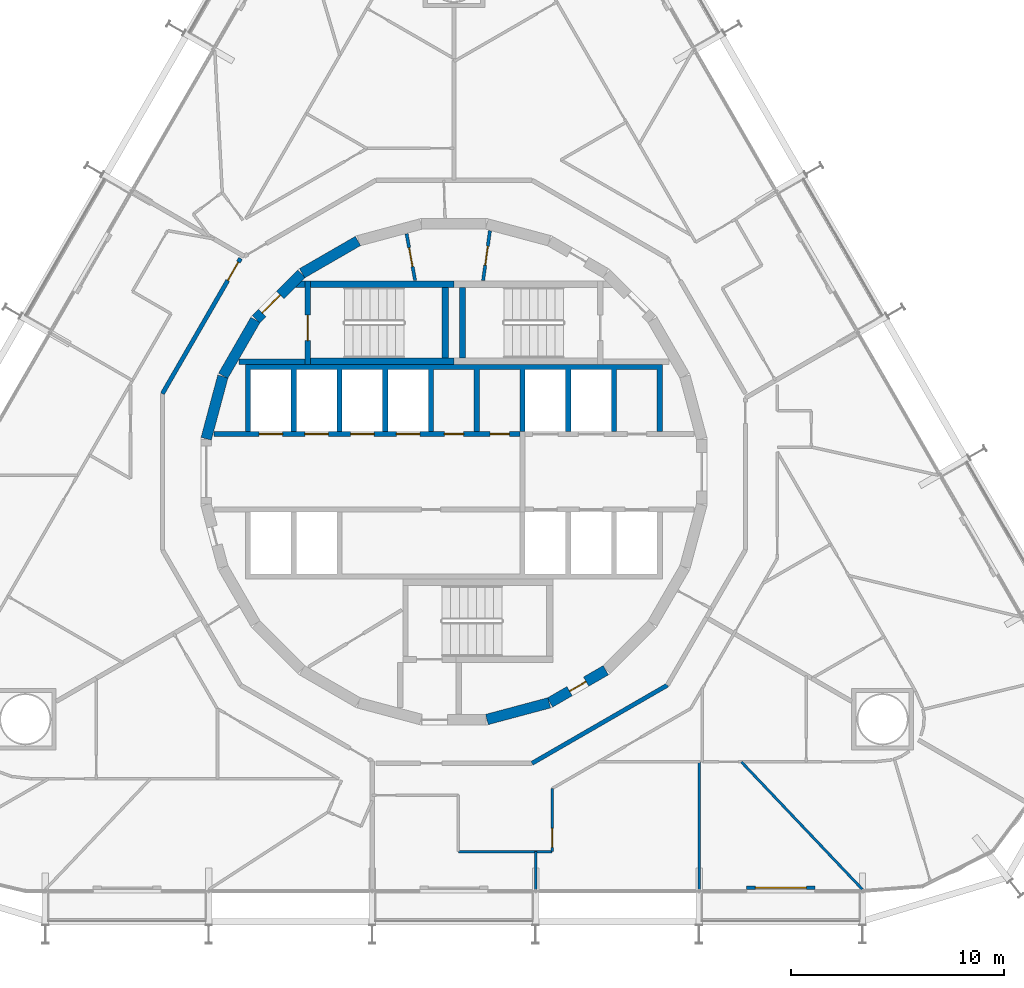
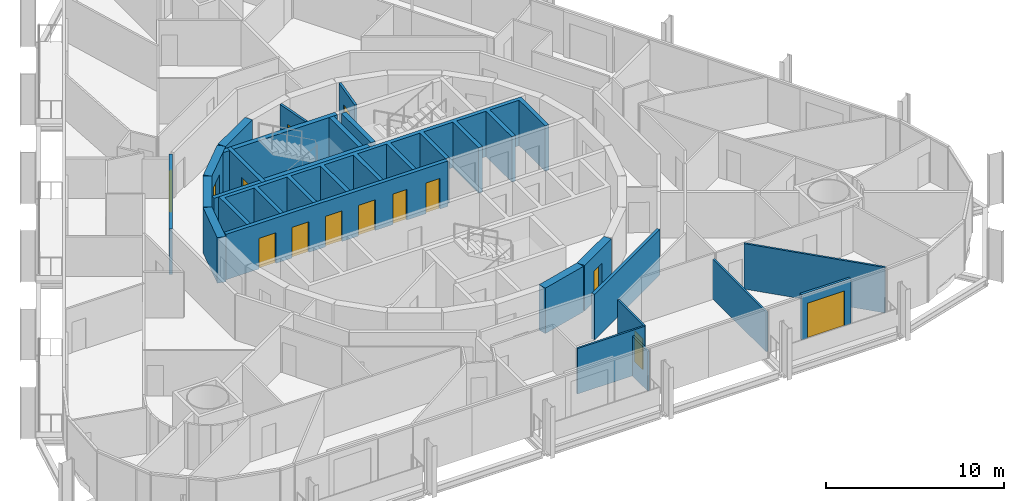
# One storey, part 15 of 21: 25 walls, 14 doors, 14 openings.
"""IFC4 building model written with IfcOpenShell, lengths in metres."""

from ifc_helpers import new_model, si_unit, direction, frame, frame_2d, origin, place, context, subcontext, project, spatial, polyline, rectangle, outline, extrude, material, layer, layer_set, type_object, element, fill, save


model = new_model("IFC4")

# Units and contexts
model_context = context("Model", 3, precision=1e-05, world=origin(), true_north=direction((0.0, 1.0)))
body_context = subcontext(model_context, "Body", "Model", "MODEL_VIEW")
ifc_project = project(units=[si_unit("LENGTHUNIT", "METRE"), si_unit("AREAUNIT", "SQUARE_METRE"), si_unit("VOLUMEUNIT", "CUBIC_METRE"), si_unit("PLANEANGLEUNIT", "RADIAN"), si_unit("MASSUNIT", "GRAM", prefix="KILO")], contexts=[model_context])

# Site, building, storey
site_placement = place(None, origin())
site = spatial("IfcSite", under=ifc_project, at=site_placement, CompositionType="ELEMENT")
building_placement = place(site_placement, origin())
building = spatial("IfcBuilding", under=site, at=building_placement, Name="Spindle Arch Residences", CompositionType="ELEMENT")
storey_placement = place(building_placement, frame((0.0, 0.0, 55.89990234375)))
storey = spatial("IfcBuildingStorey", under=building, at=storey_placement, Name="L12", CompositionType="ELEMENT", Elevation=55.89990234375)

# Wall
ifc_material_1 = material(Name="Concrete C50/60", Category="concrete")
ifc_layer_1 = layer(ifc_material_1, 0.5)
ifc_layer_set_1 = layer_set([ifc_layer_1], Name="Core outline wall 500")
wall_type_1 = type_object("IfcWallType", Name="Core outline wall 500", PredefinedType="SHEAR", material=ifc_layer_set_1)
wall_1_placement = place(storey_placement, frame((1.5498046875, -11.642822265625, 0.0), z_axis=(0.0, 0.0, 1.0), x_axis=(0.965948410781, 0.258734743916, 0.0)))
element("IfcWall", 1, at=wall_1_placement, inside=storey, type_object=wall_type_1, Name="Core outline wall 1", PredefinedType="SHEAR", context=body_context, shape_type="SweptSolid", body=[
    extrude(rectangle(XDim=3.03271484375, YDim=0.5, at=frame_2d((1.516357421875, 0.0))), origin(), (0.0, 0.0, 1.0), 3.1201171875),
])

# Wall, opening, door
wall_2_placement = place(storey_placement, frame((4.510498046875, -10.84521484375, 0.0), z_axis=(0.0, 0.0, 1.0), x_axis=(0.865975092491, 0.500087131594, 0.0)))
wall_2 = element("IfcWall", 2, at=wall_2_placement, inside=storey, type_object=wall_type_1, Name="Core outline wall 2", PredefinedType="SHEAR", context=body_context, shape_type="SweptSolid", body=[
    extrude(rectangle(XDim=3.03271484375, YDim=0.5, at=frame_2d((1.516357421875, 0.0))), origin(), (0.0, 0.0, 1.0), 3.1201171875),
])
opening_1_placement = place(wall_2_placement, frame((1.06640625, 0.0, 0.0)))
opening_1 = element("IfcOpeningElement", 3, at=opening_1_placement, cuts=wall_2, Name="Opening R1B1-WD08", PredefinedType="OPENING", context=body_context, shape_type="SweptSolid", body=[
    extrude(rectangle(XDim=0.89990234375, YDim=2.10009765625, at=frame_2d((0.449951171875, 1.050048828125))), frame((0.0, 0.260009765625, 0.0), z_axis=(0.0, -1.0, 0.0), x_axis=(1.0, 0.0, 0.0)), (0.0, 0.0, 1.0), 0.52001953125),
])
ifc_material_2 = material(Name="Steel, fire-resisting door", Category="steel")
door_type_1 = type_object("IfcDoorType", Name="Service room door 900x2100", OperationType="SINGLE_SWING_LEFT", PredefinedType="DOOR", material=ifc_material_2)
door_1_placement = place(opening_1_placement, origin())
door_1 = element("IfcDoor", 4, at=door_1_placement, inside=storey, type_object=door_type_1, Name="Service room door R1B1-WD08", OperationType="SINGLE_SWING_LEFT", OverallHeight=2.10009765625, OverallWidth=0.89990234375, PredefinedType="DOOR", context=body_context, shape_type="SweptSolid", body=[
    extrude(rectangle(XDim=0.89990234375, YDim=2.10009765625, at=frame_2d((0.449951171875, 1.050048828125))), frame((0.0, 0.02490234375, 0.0), z_axis=(0.0, -1.0, 0.0), x_axis=(1.0, 0.0, 0.0)), (0.0, 0.0, 1.0), 0.050048828125),
])
fill(opening_1, door_1)

# Wall
wall_3_placement = place(storey_placement, frame((-4.510498046875, 10.84521484375, 0.0), z_axis=(0.0, 0.0, 1.0), x_axis=(-0.865975092491, -0.500087131594, 0.0)))
element("IfcWall", 5, at=wall_3_placement, inside=storey, type_object=wall_type_1, Name="Core outline wall 14", PredefinedType="SHEAR", context=body_context, shape_type="SweptSolid", body=[
    extrude(rectangle(XDim=3.03271484375, YDim=0.5, at=frame_2d((1.516357421875, 0.0))), origin(), (0.0, 0.0, 1.0), 3.1201171875),
])

# Wall, opening, door
wall_4_placement = place(storey_placement, frame((-7.163818359375, 9.30810546875, 0.0), z_axis=(0.0, 0.0, 1.0), x_axis=(-0.707106781187, -0.707106781187, 0.0)))
wall_4 = element("IfcWall", 6, at=wall_4_placement, inside=storey, type_object=wall_type_1, Name="Core outline wall 15", PredefinedType="SHEAR", context=body_context, shape_type="SweptSolid", body=[
    extrude(rectangle(XDim=3.032470703125, YDim=0.5, at=frame_2d((1.51611328125, 0.0))), origin(), (0.0, 0.0, 1.0), 3.1201171875),
])
opening_2_placement = place(wall_4_placement, frame((1.416259765625, 0.0, 0.0)))
opening_2 = element("IfcOpeningElement", 7, at=opening_2_placement, cuts=wall_4, Name="Opening R1B1-AD02", PredefinedType="OPENING", context=body_context, shape_type="SweptSolid", body=[
    extrude(rectangle(XDim=1.199951171875, YDim=2.10009765625, at=frame_2d((0.60009765625, 1.050048828125))), frame((0.0, 0.260009765625, 0.0), z_axis=(0.0, -1.0, 0.0), x_axis=(1.0, 0.0, 0.0)), (0.0, 0.0, 1.0), 0.52001953125),
])
ifc_material_3 = material(Name="Steel, fire-resisting door", Category="steel")
door_type_2 = type_object("IfcDoorType", Name="Stair airlock door 1200x2100", OperationType="SINGLE_SWING_LEFT", PredefinedType="DOOR", material=ifc_material_3)
door_2_placement = place(opening_2_placement, origin())
door_2 = element("IfcDoor", 8, at=door_2_placement, inside=storey, type_object=door_type_2, Name="Stair airlock door R1B1-AD02", OperationType="SINGLE_SWING_RIGHT", OverallHeight=2.10009765625, OverallWidth=1.199951171875, PredefinedType="DOOR", context=body_context, shape_type="SweptSolid", body=[
    extrude(rectangle(XDim=1.199951171875, YDim=2.10009765625, at=frame_2d((0.60009765625, 1.050048828125))), frame((0.0, 0.02490234375, 0.0), z_axis=(0.0, -1.0, 0.0), x_axis=(1.0, 0.0, 0.0)), (0.0, 0.0, 1.0), 0.050048828125),
])
fill(opening_2, door_2)

# Walls
for number, where, z_axis, x_axis, name in (
    (9, (-9.32861328125, 7.13671875, 0.0), (0.0, 0.0, 1.0), (-0.500087131594, -0.865975092491, 0.0), "Core outline wall 16"),
    (10, (-10.858154296875, 4.479248046875, 0.0), (0.0, 0.0, 1.0), (-0.258734743916, -0.965948410781, 0.0), "Core outline wall 17"),
):
    element("IfcWall", number, at=place(storey_placement, frame(where, z_axis=z_axis, x_axis=x_axis)), inside=storey, type_object=wall_type_1, Name=name, PredefinedType="SHEAR", context=body_context, shape_type="SweptSolid", body=[
        extrude(rectangle(XDim=3.03271484375, YDim=0.5, at=frame_2d((1.516357421875, 0.0))), origin(), (0.0, 0.0, 1.0), 3.1201171875),
    ])

# Wall, opening, door
ifc_material_4 = material(Name="Calcium silicate block, plastered")
ifc_layer_2 = layer(ifc_material_4, 0.199951171875)
ifc_layer_set_2 = layer_set([ifc_layer_2], Name="Corridor wall 200")
wall_type_2 = type_object("IfcWallType", Name="Corridor wall 200", PredefinedType="STANDARD", material=ifc_layer_set_2)
wall_5_placement = place(storey_placement, frame((-10.029052734375, 10.029052734375, 0.0), z_axis=(0.0, 0.0, 1.0), x_axis=(-0.500001669485, -0.866024439905, 0.0)))
wall_5 = element("IfcWall", 11, at=wall_5_placement, inside=storey, type_object=wall_type_2, Name="Corridor wall R1B1-W010", PredefinedType="STANDARD", context=body_context, shape_type="SweptSolid", body=[
    extrude(rectangle(XDim=7.341796875, YDim=0.199951171875, at=frame_2d((3.6708984375, 0.0))), origin(), (0.0, 0.0, 1.0), 3.1201171875),
])
opening_3_placement = place(wall_5_placement, frame((0.199951171875, 0.0, 0.0)))
opening_3 = element("IfcOpeningElement", 12, at=opening_3_placement, cuts=wall_5, Name="Opening R1B1-FD03", PredefinedType="OPENING", context=body_context, shape_type="SweptSolid", body=[
    extrude(rectangle(XDim=1.0, YDim=2.10009765625, at=frame_2d((0.5, 1.050048828125))), frame((0.0, 0.10986328125, 0.0), z_axis=(0.0, -1.0, 0.0), x_axis=(1.0, 0.0, 0.0)), (0.0, 0.0, 1.0), 0.219970703125),
])
ifc_material_5 = material(Name="Timber, fire-resisting door set", Category="wood")
door_type_3 = type_object("IfcDoorType", Name="Flat entrance door 1000x2100", OperationType="NOTDEFINED", PredefinedType="DOOR", material=ifc_material_5)
door_3_placement = place(opening_3_placement, origin())
door_3 = element("IfcDoor", 13, at=door_3_placement, inside=storey, type_object=door_type_3, Name="Flat entrance door R1B1-FD03", OperationType="SINGLE_SWING_LEFT", OverallHeight=2.10009765625, OverallWidth=1.0, PredefinedType="DOOR", context=body_context, shape_type="SweptSolid", body=[
    extrude(rectangle(XDim=1.0, YDim=2.10009765625, at=frame_2d((0.5, 1.050048828125))), frame((0.0, 0.02490234375, 0.0), z_axis=(0.0, -1.0, 0.0), x_axis=(1.0, 0.0, 0.0)), (0.0, 0.0, 1.0), 0.050048828125),
])
fill(opening_3, door_3)

# Walls
wall_6_placement = place(storey_placement, frame((3.6708984375, -13.699951171875, 0.0), z_axis=(0.0, 0.0, 1.0), x_axis=(0.866024439905, 0.500001669485, 0.0)))
element("IfcWall", 14, at=wall_6_placement, inside=storey, type_object=wall_type_2, Name="Corridor wall R1B1-W015", PredefinedType="STANDARD", context=body_context, shape_type="SweptSolid", body=[
    extrude(rectangle(XDim=7.341796875, YDim=0.199951171875, at=frame_2d((3.6708984375, 0.0))), origin(), (0.0, 0.0, 1.0), 3.1201171875),
])
ifc_material_6 = material(Name="Plasterboard on steel studs", Category="steel")
ifc_layer_3 = layer(ifc_material_6, 0.1201171875)
ifc_layer_set_3 = layer_set([ifc_layer_3], Name="Flat partition 120")
wall_type_3 = type_object("IfcWallType", Name="Flat partition 120", PredefinedType="PARTITIONING", material=ifc_layer_set_3)
wall_7_placement = place(storey_placement, frame((0.21240234375, -17.853271484375, 0.0), z_axis=(0.0, 0.0, 1.0), x_axis=(1.0, 0.0, 0.0)))
element("IfcWall", 15, at=wall_7_placement, inside=storey, type_object=wall_type_3, Name="Flat partition R1B1-W096", PredefinedType="PARTITIONING", context=body_context, shape_type="SweptSolid", body=[
    extrude(rectangle(XDim=4.400146484375, YDim=0.1201171875, at=frame_2d((2.2001953125, 0.0))), origin(), (0.0, 0.0, 1.0), 3.1201171875),
])

# Wall, opening, door
wall_8_placement = place(storey_placement, frame((4.612548828125, -17.853271484375, 0.0), z_axis=(0.0, 0.0, 1.0), x_axis=(0.0, 1.0, 0.0)))
wall_8 = element("IfcWall", 16, at=wall_8_placement, inside=storey, type_object=wall_type_3, Name="Flat partition R1B1-W097", PredefinedType="PARTITIONING", context=body_context, shape_type="SweptSolid", body=[
    extrude(rectangle(XDim=2.96484375, YDim=0.1201171875, at=frame_2d((1.482421875, 0.0))), origin(), (0.0, 0.0, 1.0), 3.1201171875),
])
opening_4_placement = place(wall_8_placement, frame((0.199951171875, 0.0, 0.0)))
opening_4 = element("IfcOpeningElement", 17, at=opening_4_placement, cuts=wall_8, Name="Opening R1B1-ID25", PredefinedType="OPENING", context=body_context, shape_type="SweptSolid", body=[
    extrude(rectangle(XDim=0.89990234375, YDim=2.10009765625, at=frame_2d((0.449951171875, 1.050048828125))), frame((0.0, 0.070068359375, 0.0), z_axis=(0.0, -1.0, 0.0), x_axis=(1.0, 0.0, 0.0)), (0.0, 0.0, 1.0), 0.14013671875),
])
ifc_material_7 = material(Name="Timber door set", Category="wood")
door_type_4 = type_object("IfcDoorType", Name="Room door 900x2100", OperationType="NOTDEFINED", PredefinedType="DOOR", material=ifc_material_7)
door_4_placement = place(opening_4_placement, origin())
door_4 = element("IfcDoor", 18, at=door_4_placement, inside=storey, type_object=door_type_4, Name="Room door R1B1-ID25", OperationType="SINGLE_SWING_RIGHT", OverallHeight=2.10009765625, OverallWidth=0.89990234375, PredefinedType="DOOR", context=body_context, shape_type="SweptSolid", body=[
    extrude(rectangle(XDim=0.89990234375, YDim=2.10009765625, at=frame_2d((0.449951171875, 1.050048828125))), frame((0.0, 0.02490234375, 0.0), z_axis=(0.0, -1.0, 0.0), x_axis=(1.0, 0.0, 0.0)), (0.0, 0.0, 1.0), 0.050048828125),
])
fill(opening_4, door_4)

# Walls
wall_9_placement = place(storey_placement, frame((19.2001953125, -19.6298828125, 0.0), z_axis=(0.0, 0.0, 1.0), x_axis=(-0.688544699396, 0.72519390299, 0.0)))
element("IfcWall", 19, at=wall_9_placement, inside=storey, type_object=wall_type_3, Name="Flat partition R1B1-W104", PredefinedType="PARTITIONING", context=body_context, shape_type="SweptSolid", body=[
    extrude(rectangle(XDim=8.273681640625, YDim=0.1201171875, at=frame_2d((4.13671875, 0.0))), origin(), (0.0, 0.0, 1.0), 3.1201171875),
])
ifc_material_8 = material(Name="Plasterboard on steel studs", Category="steel")
ifc_layer_4 = layer(ifc_material_8, 0.1201171875)
ifc_layer_set_4 = layer_set([ifc_layer_4], Name="Flat partition 120 under beam 2730")
wall_type_4 = type_object("IfcWallType", Name="Flat partition 120 under beam 2730", PredefinedType="PARTITIONING", material=ifc_layer_set_4)
wall_10_placement = place(storey_placement, frame((3.840087890625, -19.6298828125, 0.0), z_axis=(0.0, 0.0, 1.0), x_axis=(0.0, 1.0, 0.0)))
element("IfcWall", 20, at=wall_10_placement, inside=storey, type_object=wall_type_4, Name="Flat partition R1B1-W100", PredefinedType="PARTITIONING", context=body_context, shape_type="SweptSolid", body=[
    extrude(rectangle(XDim=1.776611328125, YDim=0.1201171875, at=frame_2d((0.88818359375, 0.0))), origin(), (0.0, 0.0, 1.0), 2.72998046875),
])
wall_11_placement = place(storey_placement, frame((11.52001953125, -19.6298828125, 0.0), z_axis=(0.0, 0.0, 1.0), x_axis=(0.0, 1.0, 0.0)))
element("IfcWall", 21, at=wall_11_placement, inside=storey, type_object=wall_type_4, Name="Flat partition R1B1-W102", PredefinedType="PARTITIONING", context=body_context, shape_type="SweptSolid", body=[
    extrude(rectangle(XDim=6.0, YDim=0.1201171875, at=frame_2d((3.0, 0.0))), origin(), (0.0, 0.0, 1.0), 2.72998046875),
])

# Wall, opening, door
ifc_material_9 = material(Name="Non-combustible mineral wool insulated aluminium faced external wall (K0)", Category="aluminium")
ifc_layer_5 = layer(ifc_material_9, 0.159912109375)
ifc_layer_set_5 = layer_set([ifc_layer_5], Name="Insulated external wall panel 160")
wall_type_5 = type_object("IfcWallType", Name="Insulated external wall panel 160", PredefinedType="STANDARD", material=ifc_layer_set_5)
wall_12_placement = place(storey_placement, frame((13.76025390625, -19.5498046875, 0.0), z_axis=(0.0, 0.0, 1.0), x_axis=(1.0, 0.0, 0.0)))
wall_12 = element("IfcWall", 22, at=wall_12_placement, inside=storey, type_object=wall_type_5, Name="External wall L12 bay 2", PredefinedType="STANDARD", context=body_context, shape_type="SweptSolid", body=[
    extrude(rectangle(XDim=3.199951171875, YDim=0.159912109375, at=frame_2d((1.60009765625, 0.0))), origin(), (0.0, 0.0, 1.0), 3.1201171875),
])
opening_5_placement = place(wall_12_placement, frame((0.39990234375, 0.0, 0.0)))
opening_5 = element("IfcOpeningElement", 23, at=opening_5_placement, cuts=wall_12, Name="Opening BD02", PredefinedType="OPENING", context=body_context, shape_type="SweptSolid", body=[
    extrude(rectangle(XDim=2.39990234375, YDim=2.39990234375, at=frame_2d((1.199951171875, 1.199951171875))), frame((0.0, 0.08984375, 0.0), z_axis=(0.0, -1.0, 0.0), x_axis=(1.0, 0.0, 0.0)), (0.0, 0.0, 1.0), 0.179931640625),
])
ifc_material_10 = material(Name="Bronze aluminium frame, tinted double glazing", Category="aluminium")
door_type_5 = type_object("IfcDoorType", Name="Sliding glazed balcony door 2400x2400", OperationType="DOUBLE_DOOR_SLIDING", PredefinedType="DOOR", material=ifc_material_10)
door_5_placement = place(opening_5_placement, origin())
door_5 = element("IfcDoor", 24, at=door_5_placement, inside=storey, type_object=door_type_5, Name="Balcony door BD02", OperationType="DOUBLE_DOOR_SLIDING", OverallHeight=2.39990234375, OverallWidth=2.39990234375, PredefinedType="DOOR", context=body_context, shape_type="SweptSolid", body=[
    extrude(rectangle(XDim=2.39990234375, YDim=2.39990234375, at=frame_2d((1.199951171875, 1.199951171875))), frame((0.0, 0.02490234375, 0.0), z_axis=(0.0, -1.0, 0.0), x_axis=(1.0, 0.0, 0.0)), (0.0, 0.0, 1.0), 0.050048828125),
])
fill(opening_5, door_5)

# Wall, openings, doors
ifc_material_11 = material(Name="Concrete C50/60", Category="concrete")
ifc_layer_6 = layer(ifc_material_11, 0.25)
ifc_layer_set_6 = layer_set([ifc_layer_6], Name="Lift shaft wall 250")
wall_type_6 = type_object("IfcWallType", Name="Lift shaft wall 250", PredefinedType="SHEAR", material=ifc_layer_set_6)
wall_13_placement = place(storey_placement, frame((-11.280029296875, 1.77490234375, 0.0), z_axis=(0.0, 0.0, 1.0), x_axis=(1.0, 0.0, 0.0)))
wall_13 = element("IfcWall", 25, at=wall_13_placement, inside=storey, type_object=wall_type_6, Name="Lift shaft front wall NW", PredefinedType="SHEAR", context=body_context, shape_type="SweptSolid", body=[
    extrude(rectangle(XDim=14.380126953125, YDim=0.25, at=frame_2d((7.18994140625, 0.0))), origin(), (0.0, 0.0, 1.0), 3.1201171875),
])
opening_6_placement = place(wall_13_placement, frame((2.1298828125, 0.0, 0.0)))
opening_6 = element("IfcOpeningElement", 26, at=opening_6_placement, cuts=wall_13, Name="Opening R1B1-LD01", PredefinedType="OPENING", context=body_context, shape_type="SweptSolid", body=[
    extrude(rectangle(XDim=1.10009765625, YDim=2.10009765625, at=frame_2d((0.550048828125, 1.050048828125))), frame((0.0, 0.135009765625, 0.0), z_axis=(0.0, -1.0, 0.0), x_axis=(1.0, 0.0, 0.0)), (0.0, 0.0, 1.0), 0.27001953125),
])
opening_7_placement = place(wall_13_placement, frame((4.280029296875, 0.0, 0.0)))
opening_7 = element("IfcOpeningElement", 27, at=opening_7_placement, cuts=wall_13, Name="Opening R1B1-LD02", PredefinedType="OPENING", context=body_context, shape_type="SweptSolid", body=[
    extrude(rectangle(XDim=1.10009765625, YDim=2.10009765625, at=frame_2d((0.550048828125, 1.050048828125))), frame((0.0, 0.135009765625, 0.0), z_axis=(0.0, -1.0, 0.0), x_axis=(1.0, 0.0, 0.0)), (0.0, 0.0, 1.0), 0.27001953125),
])
opening_8_placement = place(wall_13_placement, frame((6.429931640625, 0.0, 0.0)))
opening_8 = element("IfcOpeningElement", 28, at=opening_8_placement, cuts=wall_13, Name="Opening R1B1-LD03", PredefinedType="OPENING", context=body_context, shape_type="SweptSolid", body=[
    extrude(rectangle(XDim=1.10009765625, YDim=2.10009765625, at=frame_2d((0.550048828125, 1.050048828125))), frame((0.0, 0.135009765625, 0.0), z_axis=(0.0, -1.0, 0.0), x_axis=(1.0, 0.0, 0.0)), (0.0, 0.0, 1.0), 0.27001953125),
])
opening_9_placement = place(wall_13_placement, frame((8.580078125, 0.0, 0.0)))
opening_9 = element("IfcOpeningElement", 29, at=opening_9_placement, cuts=wall_13, Name="Opening R1B1-LD04", PredefinedType="OPENING", context=body_context, shape_type="SweptSolid", body=[
    extrude(rectangle(XDim=1.10009765625, YDim=2.10009765625, at=frame_2d((0.550048828125, 1.050048828125))), frame((0.0, 0.135009765625, 0.0), z_axis=(0.0, -1.0, 0.0), x_axis=(1.0, 0.0, 0.0)), (0.0, 0.0, 1.0), 0.27001953125),
])
opening_10_placement = place(wall_13_placement, frame((10.830078125, 0.0, 0.0)))
opening_10 = element("IfcOpeningElement", 30, at=opening_10_placement, cuts=wall_13, Name="Opening R1B1-WD01", PredefinedType="OPENING", context=body_context, shape_type="SweptSolid", body=[
    extrude(rectangle(XDim=0.89990234375, YDim=2.10009765625, at=frame_2d((0.449951171875, 1.050048828125))), frame((0.0, 0.135009765625, 0.0), z_axis=(0.0, -1.0, 0.0), x_axis=(1.0, 0.0, 0.0)), (0.0, 0.0, 1.0), 0.27001953125),
])
opening_11_placement = place(wall_13_placement, frame((12.97998046875, 0.0, 0.0)))
opening_11 = element("IfcOpeningElement", 31, at=opening_11_placement, cuts=wall_13, Name="Opening R1B1-WD02", PredefinedType="OPENING", context=body_context, shape_type="SweptSolid", body=[
    extrude(rectangle(XDim=0.89990234375, YDim=2.10009765625, at=frame_2d((0.449951171875, 1.050048828125))), frame((0.0, 0.135009765625, 0.0), z_axis=(0.0, -1.0, 0.0), x_axis=(1.0, 0.0, 0.0)), (0.0, 0.0, 1.0), 0.27001953125),
])
ifc_material_12 = material(Name="Steel, fire-resisting landing door", Category="steel")
door_type_6 = type_object("IfcDoorType", Name="Lift landing door 1100x2100", OperationType="DOUBLE_DOOR_SLIDING", PredefinedType="DOOR", material=ifc_material_12)
door_6_placement = place(opening_6_placement, origin())
door_6 = element("IfcDoor", 32, at=door_6_placement, inside=storey, type_object=door_type_6, Name="Lift landing door R1B1-LD01", OperationType="DOUBLE_DOOR_SLIDING", OverallHeight=2.10009765625, OverallWidth=1.10009765625, PredefinedType="DOOR", context=body_context, shape_type="SweptSolid", body=[
    extrude(rectangle(XDim=1.10009765625, YDim=2.10009765625, at=frame_2d((0.550048828125, 1.050048828125))), frame((0.0, 0.02490234375, 0.0), z_axis=(0.0, -1.0, 0.0), x_axis=(1.0, 0.0, 0.0)), (0.0, 0.0, 1.0), 0.050048828125),
])
fill(opening_6, door_6)
door_7_placement = place(opening_7_placement, origin())
door_7 = element("IfcDoor", 33, at=door_7_placement, inside=storey, type_object=door_type_6, Name="Lift landing door R1B1-LD02", OperationType="DOUBLE_DOOR_SLIDING", OverallHeight=2.10009765625, OverallWidth=1.10009765625, PredefinedType="DOOR", context=body_context, shape_type="SweptSolid", body=[
    extrude(rectangle(XDim=1.10009765625, YDim=2.10009765625, at=frame_2d((0.550048828125, 1.050048828125))), frame((0.0, 0.02490234375, 0.0), z_axis=(0.0, -1.0, 0.0), x_axis=(1.0, 0.0, 0.0)), (0.0, 0.0, 1.0), 0.050048828125),
])
fill(opening_7, door_7)
door_8_placement = place(opening_8_placement, origin())
door_8 = element("IfcDoor", 34, at=door_8_placement, inside=storey, type_object=door_type_6, Name="Lift landing door R1B1-LD03", OperationType="DOUBLE_DOOR_SLIDING", OverallHeight=2.10009765625, OverallWidth=1.10009765625, PredefinedType="DOOR", context=body_context, shape_type="SweptSolid", body=[
    extrude(rectangle(XDim=1.10009765625, YDim=2.10009765625, at=frame_2d((0.550048828125, 1.050048828125))), frame((0.0, 0.02490234375, 0.0), z_axis=(0.0, -1.0, 0.0), x_axis=(1.0, 0.0, 0.0)), (0.0, 0.0, 1.0), 0.050048828125),
])
fill(opening_8, door_8)
door_9_placement = place(opening_9_placement, origin())
door_9 = element("IfcDoor", 35, at=door_9_placement, inside=storey, type_object=door_type_6, Name="Lift landing door R1B1-LD04", OperationType="DOUBLE_DOOR_SLIDING", OverallHeight=2.10009765625, OverallWidth=1.10009765625, PredefinedType="DOOR", context=body_context, shape_type="SweptSolid", body=[
    extrude(rectangle(XDim=1.10009765625, YDim=2.10009765625, at=frame_2d((0.550048828125, 1.050048828125))), frame((0.0, 0.02490234375, 0.0), z_axis=(0.0, -1.0, 0.0), x_axis=(1.0, 0.0, 0.0)), (0.0, 0.0, 1.0), 0.050048828125),
])
fill(opening_9, door_9)
door_10_placement = place(opening_10_placement, origin())
door_10 = element("IfcDoor", 36, at=door_10_placement, inside=storey, type_object=door_type_1, Name="Service room door R1B1-WD01", OperationType="SINGLE_SWING_RIGHT", OverallHeight=2.10009765625, OverallWidth=0.89990234375, PredefinedType="DOOR", context=body_context, shape_type="SweptSolid", body=[
    extrude(rectangle(XDim=0.89990234375, YDim=2.10009765625, at=frame_2d((0.449951171875, 1.050048828125))), frame((0.0, 0.02490234375, 0.0), z_axis=(0.0, -1.0, 0.0), x_axis=(1.0, 0.0, 0.0)), (0.0, 0.0, 1.0), 0.050048828125),
])
fill(opening_10, door_10)
door_11_placement = place(opening_11_placement, origin())
door_11 = element("IfcDoor", 37, at=door_11_placement, inside=storey, type_object=door_type_1, Name="Service room door R1B1-WD02", OperationType="SINGLE_SWING_LEFT", OverallHeight=2.10009765625, OverallWidth=0.89990234375, PredefinedType="DOOR", context=body_context, shape_type="SweptSolid", body=[
    extrude(rectangle(XDim=0.89990234375, YDim=2.10009765625, at=frame_2d((0.449951171875, 1.050048828125))), frame((0.0, 0.02490234375, 0.0), z_axis=(0.0, -1.0, 0.0), x_axis=(1.0, 0.0, 0.0)), (0.0, 0.0, 1.0), 0.050048828125),
])
fill(opening_11, door_11)

# Wall
ifc_material_13 = material(Name="Concrete C50/60", Category="concrete")
wall_type_7 = type_object("IfcWallType", Name="Lift shaft wall profile", PredefinedType="SHEAR", material=ifc_material_13)
wall_14_placement = place(storey_placement, origin())
element("IfcWall", 38, at=wall_14_placement, inside=storey, type_object=wall_type_7, Name="Lift shaft walls N", PredefinedType="SHEAR", context=body_context, shape_type="SweptSolid", body=[
    extrude(outline(polyline([(-9.550048828125, 4.800048828125), (-7.64990234375, 4.800048828125), (-7.64990234375, 1.89990234375), (-7.39990234375, 1.89990234375), (-7.39990234375, 4.800048828125), (-5.5, 4.800048828125), (-5.5, 1.89990234375), (-5.25, 1.89990234375), (-5.25, 4.800048828125), (-3.35009765625, 4.800048828125), (-3.35009765625, 1.89990234375), (-3.10009765625, 1.89990234375), (-3.10009765625, 4.800048828125), (-1.199951171875, 4.800048828125), (-1.199951171875, 1.89990234375), (-0.949951171875, 1.89990234375), (-0.949951171875, 4.800048828125), (0.949951171875, 4.800048828125), (0.949951171875, 1.89990234375), (1.199951171875, 1.89990234375), (1.199951171875, 4.800048828125), (3.10009765625, 4.800048828125), (3.10009765625, 1.89990234375), (3.35009765625, 1.89990234375), (3.35009765625, 4.800048828125), (5.25, 4.800048828125), (5.25, 1.89990234375), (5.5, 1.89990234375), (5.5, 4.800048828125), (7.39990234375, 4.800048828125), (7.39990234375, 1.89990234375), (7.64990234375, 1.89990234375), (7.64990234375, 4.800048828125), (9.550048828125, 4.800048828125), (9.550048828125, 1.89990234375), (9.800048828125, 1.89990234375), (9.800048828125, 4.800048828125), (9.800048828125, 5.050048828125), (-9.800048828125, 5.050048828125), (-9.800048828125, 4.800048828125), (-9.800048828125, 1.89990234375), (-9.550048828125, 1.89990234375), (-9.550048828125, 4.800048828125)])), origin(), (0.0, 0.0, 1.0), 3.1201171875),
])

# Wall, opening, door
ifc_material_14 = material(Name="Concrete C25/30", Category="concrete")
ifc_layer_7 = layer(ifc_material_14, 0.14990234375)
ifc_layer_set_7 = layer_set([ifc_layer_7], Name="Service room partition 150")
wall_type_8 = type_object("IfcWallType", Name="Service room partition 150", PredefinedType="PARTITIONING", material=ifc_layer_set_7)
wall_15_placement = place(storey_placement, frame((1.69091796875, 11.32568359375, 0.0), z_axis=(0.0, 0.0, 1.0), x_axis=(-0.135344253201, -0.990798633994, 0.0)))
wall_15 = element("IfcWall", 39, at=wall_15_placement, inside=storey, type_object=wall_type_8, Name="Core service room partition", PredefinedType="PARTITIONING", context=body_context, shape_type="SweptSolid", body=[
    extrude(rectangle(XDim=2.357666015625, YDim=0.14990234375, at=frame_2d((1.1787109375, 0.0))), origin(), (0.0, 0.0, 1.0), 3.1201171875),
])
opening_12_placement = place(wall_15_placement, frame((0.728759765625, 0.0, 0.0)))
opening_12 = element("IfcOpeningElement", 40, at=opening_12_placement, cuts=wall_15, Name="Opening R1B1-WD06", PredefinedType="OPENING", context=body_context, shape_type="SweptSolid", body=[
    extrude(rectangle(XDim=0.89990234375, YDim=2.10009765625, at=frame_2d((0.449951171875, 1.050048828125))), frame((0.0, 0.0849609375, 0.0), z_axis=(0.0, -1.0, 0.0), x_axis=(1.0, 0.0, 0.0)), (0.0, 0.0, 1.0), 0.169921875),
])
door_12_placement = place(opening_12_placement, origin())
door_12 = element("IfcDoor", 41, at=door_12_placement, inside=storey, type_object=door_type_1, Name="Service room door R1B1-WD06", OperationType="SINGLE_SWING_LEFT", OverallHeight=2.10009765625, OverallWidth=0.89990234375, PredefinedType="DOOR", context=body_context, shape_type="SweptSolid", body=[
    extrude(rectangle(XDim=0.89990234375, YDim=2.10009765625, at=frame_2d((0.449951171875, 1.050048828125))), frame((0.0, 0.02490234375, 0.0), z_axis=(0.0, -1.0, 0.0), x_axis=(1.0, 0.0, 0.0)), (0.0, 0.0, 1.0), 0.050048828125),
])
fill(opening_12, door_12)

wall_16_placement = place(storey_placement, frame((-1.824951171875, 8.98974609375, 0.0), z_axis=(0.0, 0.0, 1.0), x_axis=(-0.179955206115, 0.983674805915, 0.0)))
wall_16 = element("IfcWall", 42, at=wall_16_placement, inside=storey, type_object=wall_type_8, Name="Core service room partition", PredefinedType="PARTITIONING", context=body_context, shape_type="SweptSolid", body=[
    extrude(rectangle(XDim=2.22900390625, YDim=0.14990234375, at=frame_2d((1.114501953125, 0.0))), origin(), (0.0, 0.0, 1.0), 3.1201171875),
])
opening_13_placement = place(wall_16_placement, frame((0.66455078125, 0.0, 0.0)))
opening_13 = element("IfcOpeningElement", 43, at=opening_13_placement, cuts=wall_16, Name="Opening R1B1-WD07", PredefinedType="OPENING", context=body_context, shape_type="SweptSolid", body=[
    extrude(rectangle(XDim=0.89990234375, YDim=2.10009765625, at=frame_2d((0.449951171875, 1.050048828125))), frame((0.0, 0.0849609375, 0.0), z_axis=(0.0, -1.0, 0.0), x_axis=(1.0, 0.0, 0.0)), (0.0, 0.0, 1.0), 0.169921875),
])
door_13_placement = place(opening_13_placement, origin())
door_13 = element("IfcDoor", 44, at=door_13_placement, inside=storey, type_object=door_type_1, Name="Service room door R1B1-WD07", OperationType="SINGLE_SWING_RIGHT", OverallHeight=2.10009765625, OverallWidth=0.89990234375, PredefinedType="DOOR", context=body_context, shape_type="SweptSolid", body=[
    extrude(rectangle(XDim=0.89990234375, YDim=2.10009765625, at=frame_2d((0.449951171875, 1.050048828125))), frame((0.0, 0.02490234375, 0.0), z_axis=(0.0, -1.0, 0.0), x_axis=(1.0, 0.0, 0.0)), (0.0, 0.0, 1.0), 0.050048828125),
])
fill(opening_13, door_13)

# Walls
ifc_material_15 = material(Name="Concrete C40/50", Category="concrete")
ifc_layer_8 = layer(ifc_material_15, 0.25)
ifc_layer_set_8 = layer_set([ifc_layer_8], Name="Stair airlock wall 250")
wall_type_9 = type_object("IfcWallType", Name="Stair airlock wall 250", PredefinedType="SHEAR", material=ifc_layer_set_8)
wall_17_placement = place(storey_placement, frame((-7.0, 5.175048828125, 0.0), z_axis=(0.0, 0.0, 1.0), x_axis=(-1.0, 0.0, 0.0)))
element("IfcWall", 45, at=wall_17_placement, inside=storey, type_object=wall_type_9, Name="Stair ST-2 airlock wall S", PredefinedType="SHEAR", context=body_context, shape_type="SweptSolid", body=[
    extrude(rectangle(XDim=3.10009765625, YDim=0.25, at=frame_2d((1.550048828125, 0.0))), origin(), (0.0, 0.0, 1.0), 3.1201171875),
])
ifc_material_16 = material(Name="Concrete C40/50", Category="concrete")
wall_type_10 = type_object("IfcWallType", Name="Stair airlock wall profile", PredefinedType="SHEAR", material=ifc_material_16)
wall_18_placement = place(storey_placement, origin())
element("IfcWall", 46, at=wall_18_placement, inside=storey, type_object=wall_type_10, Name="Stair ST-2 airlock wall N", PredefinedType="SHEAR", context=body_context, shape_type="SweptSolid", body=[
    extrude(outline(polyline([(-7.148193359375, 8.969970703125), (-7.0, 8.969970703125), (-7.0, 8.669921875), (-7.4482421875, 8.669921875), (-7.148193359375, 8.969970703125)])), origin(), (0.0, 0.0, 1.0), 3.1201171875),
])

# Wall, opening, door
ifc_material_17 = material(Name="Concrete C50/60", Category="concrete")
ifc_layer_9 = layer(ifc_material_17, 0.25)
ifc_layer_set_9 = layer_set([ifc_layer_9], Name="Stair enclosure wall 250")
wall_type_11 = type_object("IfcWallType", Name="Stair enclosure wall 250", PredefinedType="SHEAR", material=ifc_layer_set_9)
wall_19_placement = place(storey_placement, frame((-6.875, 8.969970703125, 0.0), z_axis=(0.0, 0.0, 1.0), x_axis=(0.0, -1.0, 0.0)))
wall_19 = element("IfcWall", 47, at=wall_19_placement, inside=storey, type_object=wall_type_11, Name="Stair ST-2 door wall", PredefinedType="SHEAR", context=body_context, shape_type="SweptSolid", body=[
    extrude(rectangle(XDim=3.919921875, YDim=0.25, at=frame_2d((1.9599609375, 0.0))), origin(), (0.0, 0.0, 1.0), 3.1201171875),
])
opening_14_placement = place(wall_19_placement, frame((1.610107421875, 0.0, 0.0)))
opening_14 = element("IfcOpeningElement", 48, at=opening_14_placement, cuts=wall_19, Name="Opening R1B1-SD02", PredefinedType="OPENING", context=body_context, shape_type="SweptSolid", body=[
    extrude(rectangle(XDim=1.199951171875, YDim=2.10009765625, at=frame_2d((0.60009765625, 1.050048828125))), frame((0.0, 0.135009765625, 0.0), z_axis=(0.0, -1.0, 0.0), x_axis=(1.0, 0.0, 0.0)), (0.0, 0.0, 1.0), 0.27001953125),
])
ifc_material_18 = material(Name="Steel, fire-resisting door", Category="steel")
door_type_7 = type_object("IfcDoorType", Name="Stair door 1200x2100", OperationType="SINGLE_SWING_RIGHT", PredefinedType="DOOR", material=ifc_material_18)
door_14_placement = place(opening_14_placement, origin())
door_14 = element("IfcDoor", 49, at=door_14_placement, inside=storey, type_object=door_type_7, Name="Stair door R1B1-SD02", OperationType="SINGLE_SWING_LEFT", OverallHeight=2.10009765625, OverallWidth=1.199951171875, PredefinedType="DOOR", context=body_context, shape_type="SweptSolid", body=[
    extrude(rectangle(XDim=1.199951171875, YDim=2.10009765625, at=frame_2d((0.60009765625, 1.050048828125))), frame((0.0, 0.02490234375, 0.0), z_axis=(0.0, -1.0, 0.0), x_axis=(1.0, 0.0, 0.0)), (0.0, 0.0, 1.0), 0.050048828125),
])
fill(opening_14, door_14)

# Walls
ifc_material_19 = material(Name="Concrete C50/60", Category="concrete")
ifc_layer_10 = layer(ifc_material_19, 0.300048828125)
ifc_layer_set_10 = layer_set([ifc_layer_10], Name="Stair enclosure wall 300")
wall_type_12 = type_object("IfcWallType", Name="Stair enclosure wall 300", PredefinedType="SHEAR", material=ifc_layer_set_10)
wall_20_placement = place(storey_placement, frame((0.39990234375, 5.35009765625, 0.0), z_axis=(0.0, 0.0, 1.0), x_axis=(0.0, 1.0, 0.0)))
element("IfcWall", 50, at=wall_20_placement, inside=storey, type_object=wall_type_12, Name="Stair ST-1 enclosure wall F", PredefinedType="SHEAR", context=body_context, shape_type="SweptSolid", body=[
    extrude(rectangle(XDim=3.31982421875, YDim=0.300048828125, at=frame_2d((1.659912109375, 0.0))), origin(), (0.0, 0.0, 1.0), 3.1201171875),
])
for number, where, z_axis, x_axis, name in (
    (51, (-6.75, 5.199951171875, 0.0), (0.0, 0.0, 1.0), (1.0, 0.0, 0.0), "Stair ST-2 enclosure wall S"),
    (52, (-6.75, 8.820068359375, 0.0), (0.0, 0.0, 1.0), (1.0, 0.0, 0.0), "Stair ST-2 enclosure wall N"),
):
    element("IfcWall", number, at=place(storey_placement, frame(where, z_axis=z_axis, x_axis=x_axis)), inside=storey, type_object=wall_type_12, Name=name, PredefinedType="SHEAR", context=body_context, shape_type="SweptSolid", body=[
        extrude(rectangle(XDim=6.75, YDim=0.300048828125, at=frame_2d((3.375, 0.0))), origin(), (0.0, 0.0, 1.0), 3.1201171875),
    ])
wall_21_placement = place(storey_placement, frame((-0.39990234375, 5.35009765625, 0.0), z_axis=(0.0, 0.0, 1.0), x_axis=(0.0, 1.0, 0.0)))
element("IfcWall", 53, at=wall_21_placement, inside=storey, type_object=wall_type_12, Name="Stair ST-2 enclosure wall F", PredefinedType="SHEAR", context=body_context, shape_type="SweptSolid", body=[
    extrude(rectangle(XDim=3.31982421875, YDim=0.300048828125, at=frame_2d((1.659912109375, 0.0))), origin(), (0.0, 0.0, 1.0), 3.1201171875),
])

save(model, "model.ifc")
